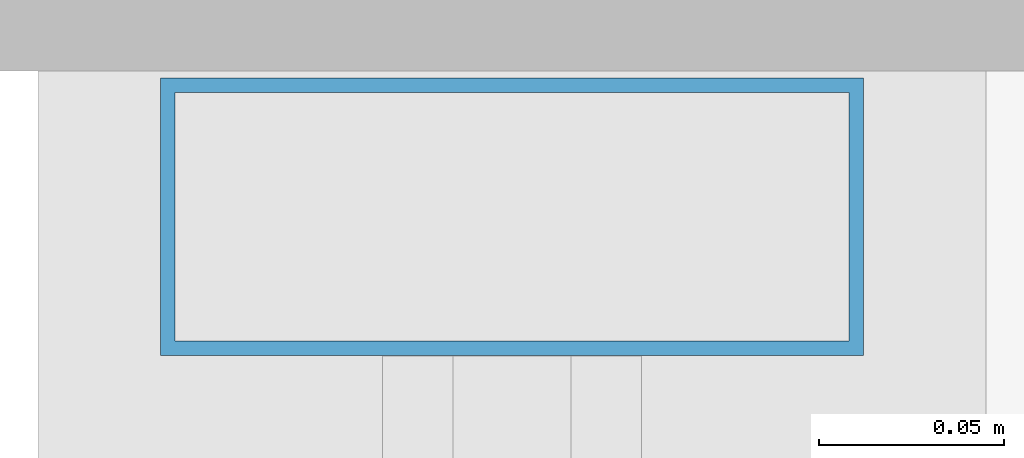
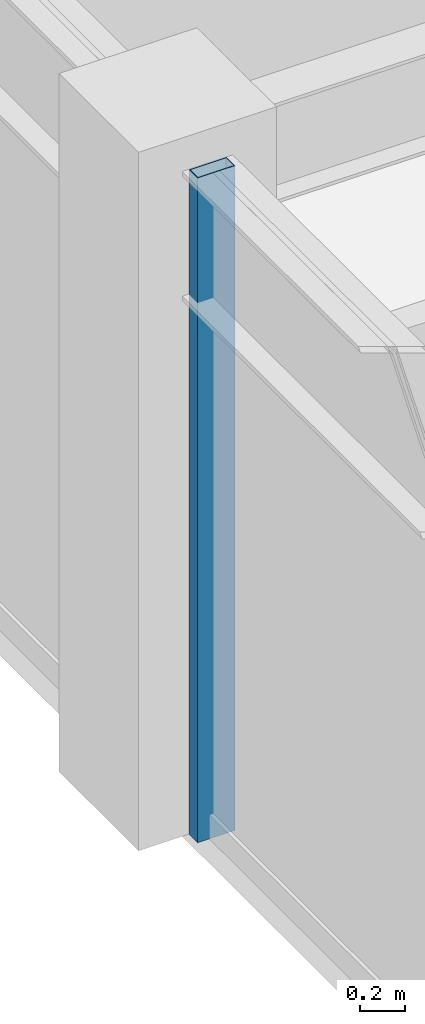
# One storey, part 8 of 31: 1 member, 1 element without a shape of its own.
"""IFC4 building model written with IfcOpenShell, lengths in metres."""

from ifc_helpers import new_model, si_unit, direction, frame, origin, origin_2d, place, context, subcontext, project, spatial, hollow_rectangle, extrude, material, layer, layer_set, material_profile, profile_set, type_object, element, aggregate, save


model = new_model("IFC4")

# Units and contexts
model_context = context("Model", 3, precision=1e-05, world=origin(), true_north=direction((0.0, 1.0)))
body_context = subcontext(model_context, "Body", "Model", "MODEL_VIEW")
ifc_project = project(units=[si_unit("LENGTHUNIT", "METRE"), si_unit("AREAUNIT", "SQUARE_METRE"), si_unit("VOLUMEUNIT", "CUBIC_METRE"), si_unit("PLANEANGLEUNIT", "RADIAN"), si_unit("MASSUNIT", "GRAM", prefix="KILO")], contexts=[model_context])

# Site, building, storey
site_placement = place(None, origin())
site = spatial("IfcSite", under=ifc_project, at=site_placement, CompositionType="ELEMENT")
building_placement = place(site_placement, origin())
building = spatial("IfcBuilding", under=site, at=building_placement, Name="Surkhivell Harbour Commons", CompositionType="ELEMENT")
storey_placement = place(building_placement, frame((0.0, 0.0, 330.0)))
storey = spatial("IfcBuildingStorey", under=building, at=storey_placement, Name="L86", CompositionType="ELEMENT", Elevation=330.0)

# Curtain wall, member
ifc_material_1 = material(Name="Anodised pale-metal aluminium and insulated glazing", Category="aluminium")
ifc_layer = layer(ifc_material_1, 0.175048828125)
ifc_layer_set = layer_set([ifc_layer], Name="Anodised pale-metal aluminium and insulated glazing")
curtain_wall_type = type_object("IfcCurtainWallType", Name="CW-SYS-Z4", PredefinedType="NOTDEFINED", material=ifc_layer_set)
curtain_wall_placement = place(storey_placement, origin())
curtain_wall = element("IfcCurtainWall", 1, at=curtain_wall_placement, inside=storey, type_object=curtain_wall_type, Name="L86 Curtain Wall CW-L86-E12S1", PredefinedType="NOTDEFINED")
ifc_material_2 = material(Name="Anodised pale-metal aluminium alloy 6063-T6", Category="aluminium")
ifc_material_profile = material_profile(ifc_material_2, hollow_rectangle(XDim=0.074951171875, YDim=0.18994140625, WallThickness=0.00390625, at=origin_2d()), Name="ALU-MULL-75x190")
ifc_profile_set = profile_set([ifc_material_profile], Name="Anodised pale-metal aluminium alloy 6063-T6")
member_type = type_object("IfcMemberType", Name="CWM-190", PredefinedType="MULLION", material=ifc_profile_set)
member_placement = place(storey_placement, frame((-27.0, -0.389404296875, 0.0), z_axis=(0.0, 0.0, 1.0), x_axis=(0.0, -1.0, 0.0)))
member = element("IfcMember", 2, at=member_placement, type_object=member_type, Name="CW-Z4 mullion 5", PredefinedType="MULLION", context=body_context, shape_type="SweptSolid", body=[
    extrude(hollow_rectangle(XDim=0.074951171875, YDim=0.18994140625, WallThickness=0.00390625, at=origin_2d()), origin(), (0.0, 0.0, 1.0), 3.570068359375),
])
aggregate(curtain_wall, [member])

save(model, "model.ifc")
